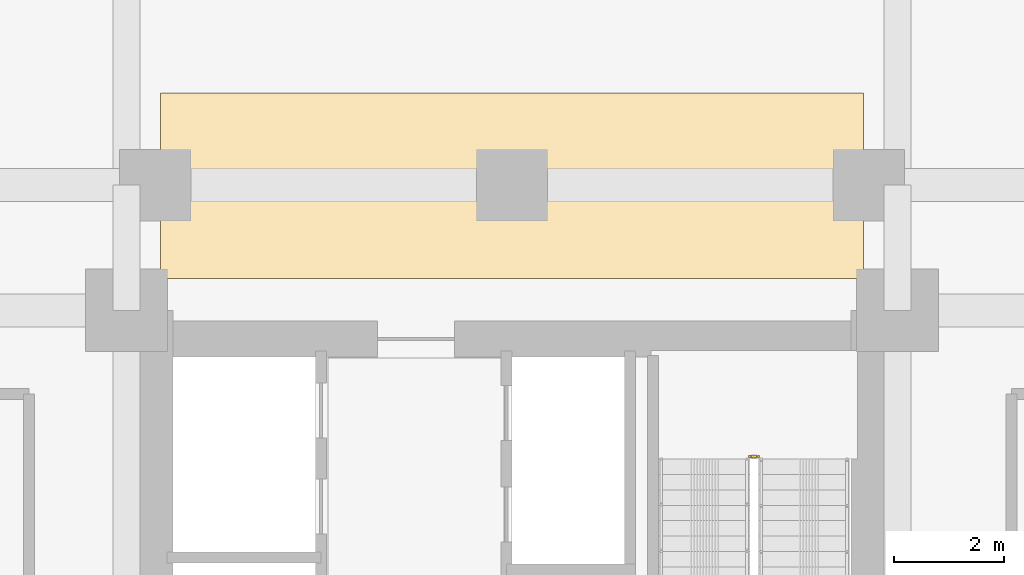
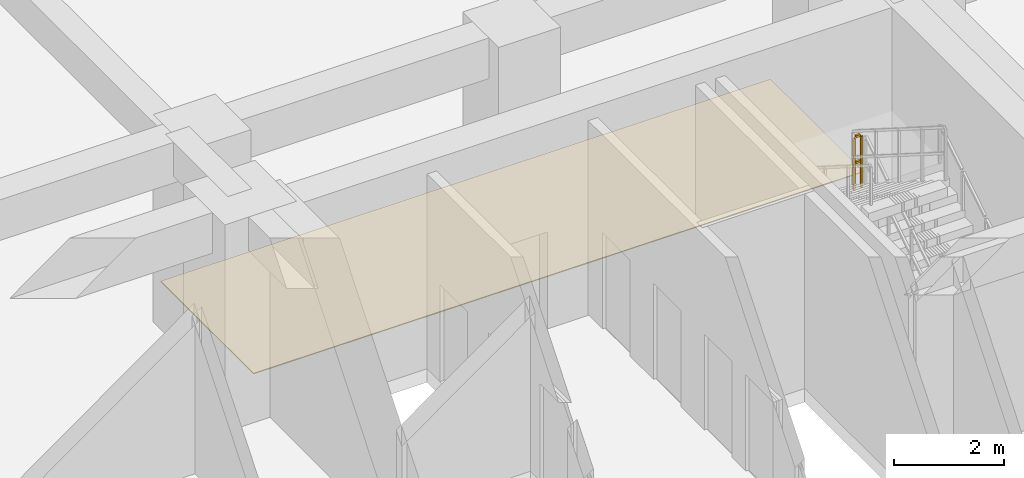
# One storey, part 11 of 12: 1 covering, 1 railing.
"""IFC4 building model written with IfcOpenShell, lengths in metres."""

import ifcopenshell
import ifcopenshell.guid

model = None  # the IFC model being written
_history = None  # IfcOwnerHistory: only IFC2X3 demands one
_inside = {}  # id of a spatial element -> (the spatial element, [elements in it])
_under = {}  # id of a project, library or spatial element -> (it, [spatial elements below it])
_declared = {}  # id of a project -> (the project, [libraries it declares])
_typed = {}  # id of a type object -> (the type object, [elements of that type])
_made_of = {}  # id of a material, layer set ... -> (it, [elements and type objects made of it])


def new_model(schema):
    """Start an empty IFC model of exactly this schema.

    Asked for "IFC4X3", IfcOpenShell would pick the latest addendum, in which some entities
    have other attributes; the version numbers below select the first issue.
    IFC2X3 requires an IfcOwnerHistory on every rooted entity: one is made here for all.
    """
    global model, _history
    if schema == "IFC4X3":
        model = ifcopenshell.file(schema_version=(4, 3, 0, 0))
    else:
        model = ifcopenshell.file(schema=schema)
    _inside.clear()
    _under.clear()
    _declared.clear()
    _typed.clear()
    _made_of.clear()
    _history = None
    if model.schema == "IFC2X3":
        org = make("IfcOrganization", Name="unknown")
        user = make(
            "IfcPersonAndOrganization",
            ThePerson=make("IfcPerson", FamilyName="unknown"),
            TheOrganization=org,
        )
        app = make(
            "IfcApplication",
            ApplicationDeveloper=org,
            Version="unknown",
            ApplicationFullName="unknown",
            ApplicationIdentifier="unknown",
        )
        _history = make(
            "IfcOwnerHistory",
            OwningUser=user,
            OwningApplication=app,
            ChangeAction="ADDED",
            CreationDate=0,
        )
    return model


def make(cls, **values):
    """One entity of the class cls with the attributes given. An attribute that is None is left unset."""
    return model.create_entity(
        cls, **{name: value for name, value in values.items() if value is not None}
    )


def rooted(cls, **values):
    """An entity with a GlobalId (a new one), such as an element, a storey or a relation."""
    return make(cls, GlobalId=ifcopenshell.guid.new(), OwnerHistory=_history, **values)


def si_unit(unit_type, name, prefix=None):
    """IfcSIUnit, for example si_unit("LENGTHUNIT", "METRE", prefix="MILLI")."""
    return make("IfcSIUnit", UnitType=unit_type, Prefix=prefix, Name=name)


def assignment(units):
    """IfcUnitAssignment: the units of a project."""
    return None if units is None else make("IfcUnitAssignment", Units=units)


def point(xyz):
    """IfcCartesianPoint."""
    return None if xyz is None else make("IfcCartesianPoint", Coordinates=xyz)


def direction(xyz):
    """IfcDirection."""
    return None if xyz is None else make("IfcDirection", DirectionRatios=xyz)


def frame(location, z_axis=None, x_axis=None):
    """IfcAxis2Placement3D, a coordinate frame: its origin and axes. An axis left out is left unset."""
    return make(
        "IfcAxis2Placement3D",
        Location=point(location),
        Axis=direction(z_axis),
        RefDirection=direction(x_axis),
    )


def frame_2d(location, x_axis=None):
    """IfcAxis2Placement2D, a coordinate frame in the plane: its origin and x axis."""
    return make(
        "IfcAxis2Placement2D", Location=point(location), RefDirection=direction(x_axis)
    )


def origin():
    """The frame at (0, 0, 0) with its axes left unset."""
    return frame((0.0, 0.0, 0.0))


def origin_2d():
    """The frame at (0, 0) in the plane with its x axis left unset."""
    return frame_2d((0.0, 0.0))


def place(relative_to, where):
    """IfcLocalPlacement: puts the frame where relative to a parent placement (None: the world)."""
    return make(
        "IfcLocalPlacement", PlacementRelTo=relative_to, RelativePlacement=where
    )


def context(
    kind, dimensions, precision=None, world=None, true_north=None, identifier=None
):
    """IfcGeometricRepresentationContext, for example the 3D "Model" context."""
    return make(
        "IfcGeometricRepresentationContext",
        ContextIdentifier=identifier,
        ContextType=kind,
        CoordinateSpaceDimension=dimensions,
        Precision=precision,
        WorldCoordinateSystem=world,
        TrueNorth=true_north,
    )


def subcontext(parent, identifier, kind, view, scale=None):
    """IfcGeometricRepresentationSubContext, for example "Body" below "Model"."""
    return make(
        "IfcGeometricRepresentationSubContext",
        ContextIdentifier=identifier,
        ContextType=kind,
        ParentContext=parent,
        TargetScale=scale,
        TargetView=view,
    )


def project(units=None, contexts=None):
    """IfcProject with its units and contexts."""
    return rooted(
        "IfcProject",
        Name="project",
        RepresentationContexts=contexts,
        UnitsInContext=assignment(units),
    )


def spatial(cls, under=None, at=None, **own):
    """A site, building, storey or space (cls), placed at a placement, below another one or the project."""
    s = rooted(cls, ObjectPlacement=at, **own)
    if under is not None:
        _under.setdefault(under.id(), (under, []))[1].append(s)
    return s


def polyline(points):
    """IfcPolyline through the points."""
    return make("IfcPolyline", Points=[point(p) for p in points])


def profile(cls, at=None, kind="AREA", **sizes):
    """A parametric profile (cls). Its sizes go by their IFC names, for example OverallWidth=200.0."""
    return make(cls, ProfileType=kind, Position=at, **sizes)


def rectangle(**sizes):
    """IfcRectangleProfileDef."""
    return profile("IfcRectangleProfileDef", **sizes)


def outline(outer, holes=None, kind="AREA"):
    """IfcArbitraryClosedProfileDef: a profile drawn as a closed curve; with holes, ...WithVoids."""
    if holes is None:
        return make("IfcArbitraryClosedProfileDef", ProfileType=kind, OuterCurve=outer)
    return make(
        "IfcArbitraryProfileDefWithVoids",
        ProfileType=kind,
        OuterCurve=outer,
        InnerCurves=holes,
    )


def extrude(swept, where, along, depth):
    """IfcExtrudedAreaSolid: the profile swept, set in the frame where, extruded along a direction by depth."""
    return make(
        "IfcExtrudedAreaSolid",
        SweptArea=swept,
        Position=where,
        ExtrudedDirection=direction(along),
        Depth=depth,
    )


def shape(context_of_items, identifier, shape_type, items):
    """IfcShapeRepresentation: the items that make up one representation, for example the "Body"."""
    return make(
        "IfcShapeRepresentation",
        ContextOfItems=context_of_items,
        RepresentationIdentifier=identifier,
        RepresentationType=shape_type,
        Items=items,
    )


def material(Name=None, Category=None):
    """IfcMaterial."""
    return make("IfcMaterial", Name=Name, Category=Category)


def layer(
    of_material, thickness, ventilated=None, Name=None, Category=None, Priority=None
):
    """IfcMaterialLayer: one layer of a wall or slab, of a material (None: an air gap)."""
    return make(
        "IfcMaterialLayer",
        Material=of_material,
        LayerThickness=thickness,
        IsVentilated=ventilated,
        Name=Name,
        Category=Category,
        Priority=Priority,
    )


def layer_set(layers, Name=None):
    """IfcMaterialLayerSet."""
    return make("IfcMaterialLayerSet", MaterialLayers=layers, LayerSetName=Name)


def made_of(thing, what):
    """Note that an element or type object is made of a material, layer set ...; save() writes the relation."""
    if what is not None:
        _made_of.setdefault(what.id(), (what, []))[1].append(thing)
    return thing


def type_object(cls, material=None, **own):
    """A type object (cls), such as IfcWallType, which elements share."""
    return made_of(rooted(cls, **own), material)


def element(
    cls,
    number,
    at=None,
    inside=None,
    cuts=None,
    type_object=None,
    material=None,
    context=None,
    identifier="Body",
    shape_type=None,
    held_by="IfcProductDefinitionShape",
    body=None,
    shapes=None,
    **own,
):
    """One element of the class cls, such as IfcWall. Its Tag is "e" and its number.

    at: its placement. inside: the storey or other place that contains it. cuts: it is an
    opening in that element (IfcRelVoidsElement). A single representation is given by context,
    identifier, shape_type and body (its items); several are given by shapes. held_by: the class
    of the entity that holds the representations. save() writes the other relations.
    """
    e = rooted(cls, Tag="e%d" % number, ObjectPlacement=at, **own)
    if body is not None:
        shapes = [shape(context, identifier, shape_type, body)]
    if shapes is not None:
        e.Representation = make(held_by, Representations=shapes)
    if inside is not None:
        _inside.setdefault(inside.id(), (inside, []))[1].append(e)
    if cuts is not None:
        rooted(
            "IfcRelVoidsElement", RelatingBuildingElement=cuts, RelatedOpeningElement=e
        )
    if type_object is not None:
        _typed.setdefault(type_object.id(), (type_object, []))[1].append(e)
    return made_of(e, material)


def aggregate(whole, parts):
    """IfcRelAggregates: a whole, such as a stair, and the parts it consists of."""
    return rooted("IfcRelAggregates", RelatingObject=whole, RelatedObjects=parts)


def save(model, path):
    """Write the relations noted so far, then the file.

    IfcRelAggregates (storeys below a building ...), IfcRelContainedInSpatialStructure (elements
    in a storey), IfcRelDefinesByType, IfcRelAssociatesMaterial and IfcRelDeclares: one each for
    every whole, place, type object, material and project.
    """
    for whole, parts in _under.values():
        aggregate(whole, parts)
    for where, things in _inside.values():
        rooted(
            "IfcRelContainedInSpatialStructure",
            RelatedElements=things,
            RelatingStructure=where,
        )
    for kind, things in _typed.values():
        rooted("IfcRelDefinesByType", RelatedObjects=things, RelatingType=kind)
    for what, things in _made_of.values():
        rooted("IfcRelAssociatesMaterial", RelatedObjects=things, RelatingMaterial=what)
    for by, libraries in _declared.values():
        rooted("IfcRelDeclares", RelatingContext=by, RelatedDefinitions=libraries)
    model.write(path)


model = new_model("IFC4")

# Units and contexts
model_context = context("Model", 3, precision=1e-05, world=origin(), true_north=direction((0.0, 1.0)))
body_context = subcontext(model_context, "Body", "Model", "MODEL_VIEW")
ifc_project = project(units=[si_unit("LENGTHUNIT", "METRE"), si_unit("AREAUNIT", "SQUARE_METRE"), si_unit("VOLUMEUNIT", "CUBIC_METRE"), si_unit("PLANEANGLEUNIT", "RADIAN"), si_unit("MASSUNIT", "GRAM", prefix="KILO")], contexts=[model_context])

# Site, building, storey
site_placement = place(None, origin())
site = spatial("IfcSite", under=ifc_project, at=site_placement, CompositionType="ELEMENT")
building_placement = place(site_placement, origin())
building = spatial("IfcBuilding", under=site, at=building_placement, Name="Saelheon Loggia Tower", CompositionType="ELEMENT")
storey_placement = place(building_placement, frame((0.0, 0.0, -4.60009765625)))
storey = spatial("IfcBuildingStorey", under=building, at=storey_placement, Name="B1", CompositionType="ELEMENT", Elevation=-4.60009765625)

# Covering
ifc_material_1 = material(Name="Vitrified Porcelain Floor Tile", Category="ceramic")
ifc_layer = layer(ifc_material_1, 0.02001953125)
ifc_layer_set = layer_set([ifc_layer], Name="Vitrified Porcelain Floor Tile")
covering_type = type_object("IfcCoveringType", Name="Cov_Floor_Porcelain", PredefinedType="FLOORING", material=ifc_layer_set)
covering_placement = place(storey_placement, origin())
element("IfcCovering", 1, at=covering_placement, inside=storey, type_object=covering_type, Name="B1 Corridor Porcelain Flooring", PredefinedType="FLOORING", context=body_context, shape_type="SweptSolid", body=[
    extrude(outline(polyline([(31.60009765625, 37.10009765625), (44.39990234375, 37.10009765625), (44.39990234375, 40.47998046875), (31.60009765625, 40.47998046875), (31.60009765625, 37.10009765625)])), origin(), (0.0, 0.0, 1.0), 0.02001953125),
])

# Railing
ifc_material_2 = material(Name="Galvanised Steel S275 Stairwell Guardrail", Category="steel")
railing_type = type_object("IfcRailingType", Name="Guard_StairWell_RL_STG", PredefinedType="GUARDRAIL", material=ifc_material_2)
railing_placement = place(storey_placement, frame((42.489990234375, 33.860107421875, 2.300048828125)))
element("IfcRailing", 2, at=railing_placement, inside=storey, type_object=railing_type, Name="B1 ST2 stair guard 2", PredefinedType="GUARDRAIL", context=body_context, shape_type="SweptSolid", body=[
    extrude(rectangle(XDim=0.048095703125, YDim=0.048095703125, at=origin_2d()), frame((-0.033203125, 0.0, 1.17578125), z_axis=(-1.0, 0.0, 0.0), x_axis=(0.0, -1.0, 0.0)), (0.0, 0.0, 1.0), 0.093505859375),
    extrude(rectangle(XDim=0.048095703125, YDim=0.048095703125, at=origin_2d()), frame((-0.033203125, 0.0, 0.60009765625), z_axis=(-1.0, 0.0, 0.0), x_axis=(0.0, -1.0, 0.0)), (0.0, 0.0, 1.0), 0.093505859375),
    extrude(rectangle(XDim=0.0419921875, YDim=0.0419921875, at=origin_2d()), origin(), (0.0, 0.0, 1.0), 1.14794921875),
    extrude(rectangle(XDim=0.0419921875, YDim=0.0419921875, at=origin_2d()), frame((-0.159912109375, 0.0, 0.0)), (0.0, 0.0, 1.0), 1.14794921875),
])

save(model, "model.ifc")
